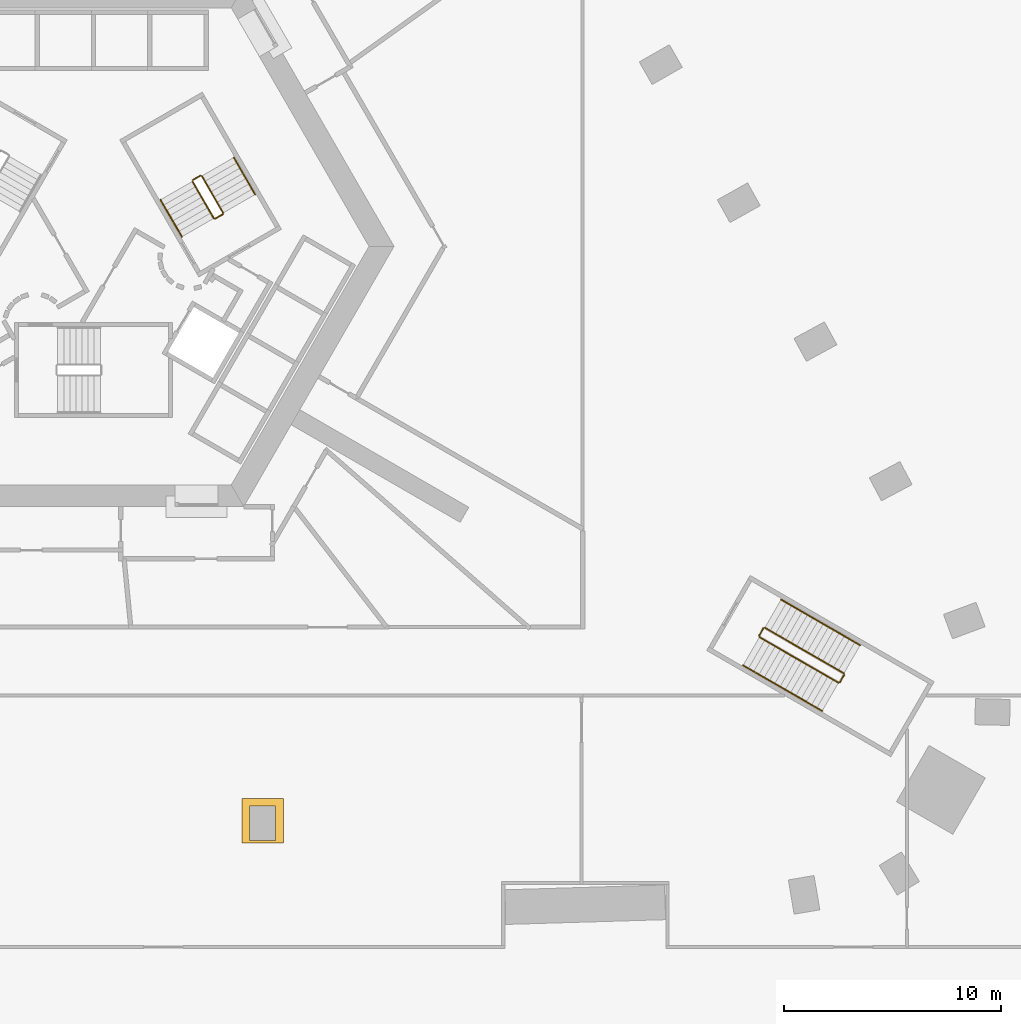
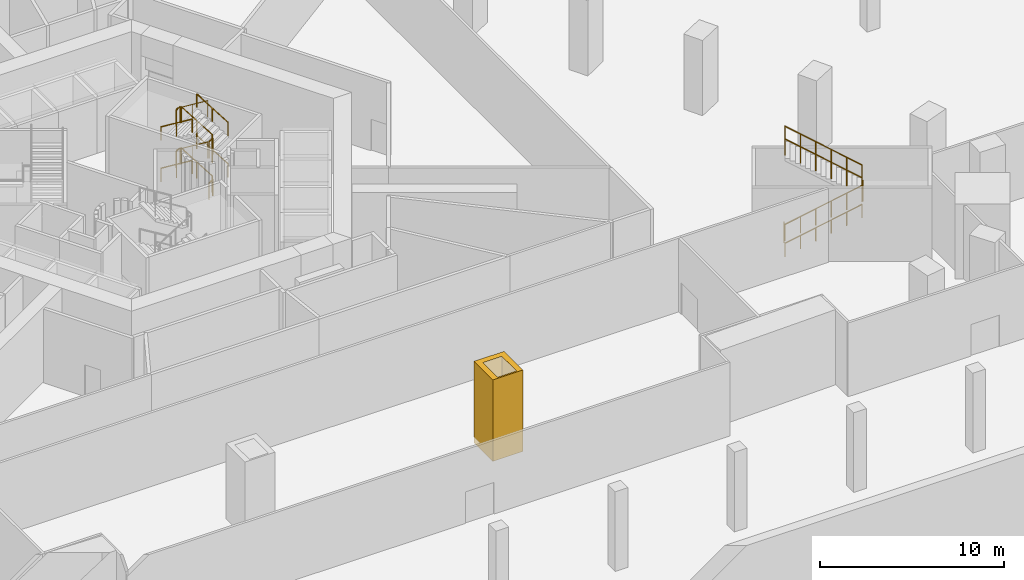
# One storey, part 18 of 20: 18 railings, 1 covering.
"""IFC4 building model written with IfcOpenShell, lengths in metres."""

from ifc_helpers import new_model, si_unit, direction, frame, origin, origin_2d, place, context, subcontext, project, spatial, polyline, circle, outline, extrude, material, type_object, element, save


model = new_model("IFC4")

# Units and contexts
model_context = context("Model", 3, precision=1e-05, world=origin(), true_north=direction((0.0, 1.0)))
body_context = subcontext(model_context, "Body", "Model", "MODEL_VIEW")
ifc_project = project(units=[si_unit("LENGTHUNIT", "METRE"), si_unit("AREAUNIT", "SQUARE_METRE"), si_unit("VOLUMEUNIT", "CUBIC_METRE"), si_unit("PLANEANGLEUNIT", "RADIAN"), si_unit("MASSUNIT", "GRAM", prefix="KILO")], contexts=[model_context])

# Site, building, storey
site_placement = place(None, origin())
site = spatial("IfcSite", under=ifc_project, at=site_placement, CompositionType="ELEMENT")
building_placement = place(site_placement, origin())
building = spatial("IfcBuilding", under=site, at=building_placement, Name="Entoto Arch Interchange Tower", CompositionType="ELEMENT")
storey_placement = place(building_placement, frame((0.0, 0.0, -5.5)))
storey = spatial("IfcBuildingStorey", under=building, at=storey_placement, Name="B1", CompositionType="ELEMENT", Elevation=-5.5)

# Covering
ifc_material_1 = material(Name="Board-marked precast concrete C50/60", Category="concrete")
covering_type = type_object("IfcCoveringType", Name="PRECAST FRAME COURSE", PredefinedType="CLADDING", material=ifc_material_1)
covering_placement = place(storey_placement, frame((0.0, 0.0, -0.419921875)))
element("IfcCovering", 1, at=covering_placement, inside=storey, type_object=covering_type, Name="Gate pier B1", PredefinedType="CLADDING", context=body_context, shape_type="SweptSolid", body=[
    extrude(outline(polyline([(6.85009765625, -22.949951171875), (8.75, -22.949951171875), (8.75, -24.9990234375), (6.85009765625, -24.9990234375), (6.85009765625, -22.949951171875)]), holes=[polyline([(7.199951171875, -23.300048828125), (7.199951171875, -24.89990234375), (8.39990234375, -24.89990234375), (8.39990234375, -23.300048828125), (7.199951171875, -23.300048828125)])]), origin(), (0.0, 0.0, 1.0), 5.419921875),
])

# Railings
ifc_material_2 = material(Name="Stainless steel 1.4301", Category="steel")
railing_type_1 = type_object("IfcRailingType", Name="STAIR GUARD 1100 STEEL", PredefinedType="GUARDRAIL", material=ifc_material_2)
railing_1_placement = place(storey_placement, frame((5.977783203125, 4.046142578125, 0.171875)))
element("IfcRailing", 2, at=railing_1_placement, inside=storey, type_object=railing_type_1, Name="B1 ST-NE stair guard 1", PredefinedType="GUARDRAIL", context=body_context, shape_type="SweptSolid", body=[
    extrude(circle(Radius=0.02392578125, at=origin_2d()), frame((0.0, 0.0, 1.076171875), z_axis=(-0.42613557846, 0.738040493636, 0.523167944856), x_axis=(-0.866011328839, -0.500024377727, 0.0)), (0.0, 0.0, 1.0), 2.2998046875),
    extrude(circle(Radius=0.02099609375, at=origin_2d()), origin(), (0.0, 0.0, 1.0), 1.052001953125),
    extrude(circle(Radius=0.02099609375, at=origin_2d()), frame((-0.489990234375, 0.8486328125, 0.6015625)), (0.0, 0.0, 1.0), 1.052001953125),
    extrude(circle(Radius=0.02099609375, at=origin_2d()), frame((-0.97998046875, 1.697265625, 1.203125)), (0.0, 0.0, 1.0), 1.052001953125),
])
railing_2_placement = place(storey_placement, frame((4.929443359375, 5.76171875, 1.375)))
element("IfcRailing", 3, at=railing_2_placement, inside=storey, type_object=railing_type_1, Name="B1 ST-NE stair guard 2", PredefinedType="GUARDRAIL", context=body_context, shape_type="SweptSolid", body=[
    extrude(circle(Radius=0.02392578125, at=origin_2d()), frame((0.0, 0.0, 1.076171875), z_axis=(-0.865941482684, -0.500145327446, 0.0), x_axis=(0.500145327446, -0.865941482684, 0.0)), (0.0, 0.0, 1.0), 0.39990234375),
    extrude(circle(Radius=0.02099609375, at=origin_2d()), origin(), (0.0, 0.0, 1.0), 1.052001953125),
    extrude(circle(Radius=0.02099609375, at=origin_2d()), frame((-0.34619140625, -0.199951171875, 0.0)), (0.0, 0.0, 1.0), 1.052001953125),
])
railing_3_placement = place(storey_placement, frame((4.56494140625, 5.493408203125, 1.546875)))
element("IfcRailing", 4, at=railing_3_placement, inside=storey, type_object=railing_type_1, Name="B1 ST-NE stair guard 3", PredefinedType="GUARDRAIL", context=body_context, shape_type="SweptSolid", body=[
    extrude(circle(Radius=0.02392578125, at=origin_2d()), frame((0.0, 0.0, 1.076171875), z_axis=(0.42613557846, -0.738040493636, 0.523167944856), x_axis=(0.866011328839, 0.500024377727, 0.0)), (0.0, 0.0, 1.0), 2.2998046875),
    extrude(circle(Radius=0.02099609375, at=origin_2d()), origin(), (0.0, 0.0, 1.0), 1.052001953125),
    extrude(circle(Radius=0.02099609375, at=origin_2d()), frame((0.489990234375, -0.8486328125, 0.6015625)), (0.0, 0.0, 1.0), 1.052001953125),
    extrude(circle(Radius=0.02099609375, at=origin_2d()), frame((0.97998046875, -1.697265625, 1.203125)), (0.0, 0.0, 1.0), 1.052001953125),
])
railing_4_placement = place(storey_placement, frame((5.95947265625, 3.977783203125, 2.75)))
element("IfcRailing", 5, at=railing_4_placement, inside=storey, type_object=railing_type_1, Name="B1 ST-NE stair guard 4", PredefinedType="GUARDRAIL", context=body_context, shape_type="SweptSolid", body=[
    extrude(circle(Radius=0.02392578125, at=origin_2d()), frame((0.0, 0.0, 1.076171875), z_axis=(-0.866094119867, -0.499880961361, 0.0), x_axis=(0.499880961361, -0.866094119867, 0.0)), (0.0, 0.0, 1.0), 0.39990234375),
    extrude(circle(Radius=0.02099609375, at=origin_2d()), origin(), (0.0, 0.0, 1.0), 1.052001953125),
    extrude(circle(Radius=0.02099609375, at=origin_2d()), frame((-0.346435546875, -0.199951171875, 0.0)), (0.0, 0.0, 1.0), 1.052001953125),
])
railing_5_placement = place(storey_placement, frame((5.977783203125, 4.046142578125, 2.921875)))
element("IfcRailing", 6, at=railing_5_placement, inside=storey, type_object=railing_type_1, Name="B1 ST-NE stair guard 5", PredefinedType="GUARDRAIL", context=body_context, shape_type="SweptSolid", body=[
    extrude(circle(Radius=0.02392578125, at=origin_2d()), frame((0.0, 0.0, 1.076171875), z_axis=(-0.42613557846, 0.738040493636, 0.523167944856), x_axis=(-0.866011328839, -0.500024377727, 0.0)), (0.0, 0.0, 1.0), 2.2998046875),
    extrude(circle(Radius=0.02099609375, at=origin_2d()), origin(), (0.0, 0.0, 1.0), 1.052001953125),
    extrude(circle(Radius=0.02099609375, at=origin_2d()), frame((-0.489990234375, 0.8486328125, 0.6015625)), (0.0, 0.0, 1.0), 1.052001953125),
    extrude(circle(Radius=0.02099609375, at=origin_2d()), frame((-0.97998046875, 1.697265625, 1.203125)), (0.0, 0.0, 1.0), 1.052001953125),
])
railing_6_placement = place(storey_placement, frame((4.929443359375, 5.76171875, 4.125)))
element("IfcRailing", 7, at=railing_6_placement, inside=storey, type_object=railing_type_1, Name="B1 ST-NE stair guard 6", PredefinedType="GUARDRAIL", context=body_context, shape_type="SweptSolid", body=[
    extrude(circle(Radius=0.02392578125, at=origin_2d()), frame((0.0, 0.0, 1.076171875), z_axis=(-0.865941482684, -0.500145327446, 0.0), x_axis=(0.500145327446, -0.865941482684, 0.0)), (0.0, 0.0, 1.0), 0.39990234375),
    extrude(circle(Radius=0.02099609375, at=origin_2d()), origin(), (0.0, 0.0, 1.0), 1.052001953125),
    extrude(circle(Radius=0.02099609375, at=origin_2d()), frame((-0.34619140625, -0.199951171875, 0.0)), (0.0, 0.0, 1.0), 1.052001953125),
])
railing_7_placement = place(storey_placement, frame((4.56494140625, 5.493408203125, 4.296875)))
element("IfcRailing", 8, at=railing_7_placement, inside=storey, type_object=railing_type_1, Name="B1 ST-NE stair guard 7", PredefinedType="GUARDRAIL", context=body_context, shape_type="SweptSolid", body=[
    extrude(circle(Radius=0.02392578125, at=origin_2d()), frame((0.0, 0.0, 1.076171875), z_axis=(0.42613557846, -0.738040493636, 0.523167944856), x_axis=(0.866011328839, 0.500024377727, 0.0)), (0.0, 0.0, 1.0), 2.2998046875),
    extrude(circle(Radius=0.02099609375, at=origin_2d()), origin(), (0.0, 0.0, 1.0), 1.052001953125),
    extrude(circle(Radius=0.02099609375, at=origin_2d()), frame((0.489990234375, -0.8486328125, 0.6015625)), (0.0, 0.0, 1.0), 1.052001953125),
    extrude(circle(Radius=0.02099609375, at=origin_2d()), frame((0.97998046875, -1.697265625, 1.203125)), (0.0, 0.0, 1.0), 1.052001953125),
])
railing_8_placement = place(storey_placement, frame((5.95947265625, 3.977783203125, 0.0)))
element("IfcRailing", 9, at=railing_8_placement, inside=storey, type_object=railing_type_1, Name="B1 ST-NE stair guard 8", PredefinedType="GUARDRAIL", context=body_context, shape_type="SweptSolid", body=[
    extrude(circle(Radius=0.02392578125, at=origin_2d()), frame((0.0, 0.0, 1.076171875), z_axis=(-0.866094119867, -0.499880961361, 0.0), x_axis=(0.499880961361, -0.866094119867, 0.0)), (0.0, 0.0, 1.0), 0.39990234375),
    extrude(circle(Radius=0.02099609375, at=origin_2d()), origin(), (0.0, 0.0, 1.0), 1.052001953125),
    extrude(circle(Radius=0.02099609375, at=origin_2d()), frame((-0.346435546875, -0.199951171875, 0.0)), (0.0, 0.0, 1.0), 1.052001953125),
])
railing_9_placement = place(storey_placement, frame((30.70556640625, -15.516357421875, 0.171875)))
element("IfcRailing", 10, at=railing_9_placement, inside=storey, type_object=railing_type_1, Name="B1 PST-SE stair guard 1", PredefinedType="GUARDRAIL", context=body_context, shape_type="SweptSolid", body=[
    extrude(circle(Radius=0.02392578125, at=origin_2d()), frame((0.0, 0.0, 1.076171875), z_axis=(0.738050923409, -0.42614539154, 0.523145237696), x_axis=(0.500027713859, 0.866009402589, 0.0)), (0.0, 0.0, 1.0), 4.92822265625),
    extrude(circle(Radius=0.02099609375, at=origin_2d()), origin(), (0.0, 0.0, 1.0), 1.052001953125),
    extrude(circle(Radius=0.02099609375, at=origin_2d()), frame((0.7275390625, -0.419921875, 0.515625)), (0.0, 0.0, 1.0), 1.052001953125),
    extrude(circle(Radius=0.02099609375, at=origin_2d()), frame((1.454833984375, -0.840087890625, 1.03125)), (0.0, 0.0, 1.0), 1.052001953125),
    extrude(circle(Radius=0.02099609375, at=origin_2d()), frame((2.182373046875, -1.260009765625, 1.546875)), (0.0, 0.0, 1.0), 1.052001953125),
    extrude(circle(Radius=0.02099609375, at=origin_2d()), frame((2.90966796875, -1.68017578125, 2.0625)), (0.0, 0.0, 1.0), 1.052001953125),
    extrude(circle(Radius=0.02099609375, at=origin_2d()), frame((3.63720703125, -2.10009765625, 2.578125)), (0.0, 0.0, 1.0), 1.052001953125),
])
railing_10_placement = place(storey_placement, frame((34.4111328125, -17.59814453125, 2.75)))
element("IfcRailing", 11, at=railing_10_placement, inside=storey, type_object=railing_type_1, Name="B1 PST-SE stair guard 2", PredefinedType="GUARDRAIL", context=body_context, shape_type="SweptSolid", body=[
    extrude(circle(Radius=0.02392578125, at=origin_2d()), frame((0.0, 0.0, 1.076171875), z_axis=(0.499880961361, 0.866094119867, 0.0), x_axis=(-0.866094119867, 0.499880961361, 0.0)), (0.0, 0.0, 1.0), 0.39990234375),
    extrude(circle(Radius=0.02099609375, at=origin_2d()), origin(), (0.0, 0.0, 1.0), 1.052001953125),
    extrude(circle(Radius=0.02099609375, at=origin_2d()), frame((0.199951171875, 0.346435546875, 0.0)), (0.0, 0.0, 1.0), 1.052001953125),
])
railing_11_placement = place(storey_placement, frame((34.5927734375, -17.183349609375, 2.921875)))
element("IfcRailing", 12, at=railing_11_placement, inside=storey, type_object=railing_type_1, Name="B1 PST-SE stair guard 3", PredefinedType="GUARDRAIL", context=body_context, shape_type="SweptSolid", body=[
    extrude(circle(Radius=0.02392578125, at=origin_2d()), frame((0.0, 0.0, 1.076171875), z_axis=(-0.738066504253, 0.426104846495, 0.52315628171), x_axis=(-0.49998411664, -0.866034573852, 0.0)), (0.0, 0.0, 1.0), 4.927978515625),
    extrude(circle(Radius=0.02099609375, at=origin_2d()), origin(), (0.0, 0.0, 1.0), 1.052001953125),
    extrude(circle(Radius=0.02099609375, at=origin_2d()), frame((-0.7275390625, 0.419921875, 0.515625)), (0.0, 0.0, 1.0), 1.052001953125),
    extrude(circle(Radius=0.02099609375, at=origin_2d()), frame((-1.454833984375, 0.83984375, 1.03125)), (0.0, 0.0, 1.0), 1.052001953125),
    extrude(circle(Radius=0.02099609375, at=origin_2d()), frame((-2.182373046875, 1.260009765625, 1.546875)), (0.0, 0.0, 1.0), 1.052001953125),
    extrude(circle(Radius=0.02099609375, at=origin_2d()), frame((-2.90966796875, 1.679931640625, 2.0625)), (0.0, 0.0, 1.0), 1.052001953125),
    extrude(circle(Radius=0.02099609375, at=origin_2d()), frame((-3.63720703125, 2.099853515625, 2.578125)), (0.0, 0.0, 1.0), 1.052001953125),
])
railing_12_placement = place(storey_placement, frame((30.687255859375, -15.4482421875, 0.0)))
element("IfcRailing", 13, at=railing_12_placement, inside=storey, type_object=railing_type_1, Name="B1 PST-SE stair guard 4", PredefinedType="GUARDRAIL", context=body_context, shape_type="SweptSolid", body=[
    extrude(circle(Radius=0.02392578125, at=origin_2d()), frame((0.0, 0.0, 1.076171875), z_axis=(0.499880961361, 0.866094119867, 0.0), x_axis=(-0.866094119867, 0.499880961361, 0.0)), (0.0, 0.0, 1.0), 0.39990234375),
    extrude(circle(Radius=0.02099609375, at=origin_2d()), origin(), (0.0, 0.0, 1.0), 1.052001953125),
    extrude(circle(Radius=0.02099609375, at=origin_2d()), frame((0.199951171875, 0.346435546875, 0.0)), (0.0, 0.0, 1.0), 1.052001953125),
])
railing_type_2 = type_object("IfcRailingType", Name="STAIR HANDRAIL 900 STEEL", PredefinedType="HANDRAIL", material=ifc_material_2)
railing_13_placement = place(storey_placement, frame((7.4501953125, 4.89599609375, 0.171875)))
element("IfcRailing", 14, at=railing_13_placement, inside=storey, type_object=railing_type_2, Name="B1 ST-NE stair handrail 1", PredefinedType="HANDRAIL", context=body_context, shape_type="SweptSolid", body=[
    extrude(circle(Radius=0.02392578125, at=origin_2d()), frame((0.0, 0.0, 0.8759765625), z_axis=(-0.426102191367, 0.738088823262, 0.52312695542), x_axis=(-0.866042469362, -0.499970440388, 0.0)), (0.0, 0.0, 1.0), 2.2998046875),
    extrude(circle(Radius=0.02099609375, at=origin_2d()), origin(), (0.0, 0.0, 1.0), 0.851806640625),
    extrude(circle(Radius=0.02099609375, at=origin_2d()), frame((-0.489990234375, 0.8486328125, 0.6015625)), (0.0, 0.0, 1.0), 0.851806640625),
    extrude(circle(Radius=0.02099609375, at=origin_2d()), frame((-0.97998046875, 1.697509765625, 1.203125)), (0.0, 0.0, 1.0), 0.851806640625),
])
railing_14_placement = place(storey_placement, frame((3.092529296875, 4.6435546875, 1.546875)))
element("IfcRailing", 15, at=railing_14_placement, inside=storey, type_object=railing_type_2, Name="B1 ST-NE stair handrail 2", PredefinedType="HANDRAIL", context=body_context, shape_type="SweptSolid", body=[
    extrude(circle(Radius=0.02392578125, at=origin_2d()), frame((0.0, 0.0, 0.8759765625), z_axis=(0.426102191367, -0.738088823262, 0.52312695542), x_axis=(0.866042469362, 0.499970440388, 0.0)), (0.0, 0.0, 1.0), 2.2998046875),
    extrude(circle(Radius=0.02099609375, at=origin_2d()), origin(), (0.0, 0.0, 1.0), 0.851806640625),
    extrude(circle(Radius=0.02099609375, at=origin_2d()), frame((0.489990234375, -0.8486328125, 0.6015625)), (0.0, 0.0, 1.0), 0.851806640625),
    extrude(circle(Radius=0.02099609375, at=origin_2d()), frame((0.97998046875, -1.697509765625, 1.203125)), (0.0, 0.0, 1.0), 0.851806640625),
])
railing_15_placement = place(storey_placement, frame((7.4501953125, 4.89599609375, 2.921875)))
element("IfcRailing", 16, at=railing_15_placement, inside=storey, type_object=railing_type_2, Name="B1 ST-NE stair handrail 3", PredefinedType="HANDRAIL", context=body_context, shape_type="SweptSolid", body=[
    extrude(circle(Radius=0.02392578125, at=origin_2d()), frame((0.0, 0.0, 0.8759765625), z_axis=(-0.426102191367, 0.738088823262, 0.52312695542), x_axis=(-0.866042469362, -0.499970440388, 0.0)), (0.0, 0.0, 1.0), 2.2998046875),
    extrude(circle(Radius=0.02099609375, at=origin_2d()), origin(), (0.0, 0.0, 1.0), 0.851806640625),
    extrude(circle(Radius=0.02099609375, at=origin_2d()), frame((-0.489990234375, 0.8486328125, 0.6015625)), (0.0, 0.0, 1.0), 0.851806640625),
    extrude(circle(Radius=0.02099609375, at=origin_2d()), frame((-0.97998046875, 1.697509765625, 1.203125)), (0.0, 0.0, 1.0), 0.851806640625),
])
railing_16_placement = place(storey_placement, frame((3.092529296875, 4.6435546875, 4.296875)))
element("IfcRailing", 17, at=railing_16_placement, inside=storey, type_object=railing_type_2, Name="B1 ST-NE stair handrail 4", PredefinedType="HANDRAIL", context=body_context, shape_type="SweptSolid", body=[
    extrude(circle(Radius=0.02392578125, at=origin_2d()), frame((0.0, 0.0, 0.8759765625), z_axis=(0.426102191367, -0.738088823262, 0.52312695542), x_axis=(0.866042469362, 0.499970440388, 0.0)), (0.0, 0.0, 1.0), 2.2998046875),
    extrude(circle(Radius=0.02099609375, at=origin_2d()), origin(), (0.0, 0.0, 1.0), 0.851806640625),
    extrude(circle(Radius=0.02099609375, at=origin_2d()), frame((0.489990234375, -0.8486328125, 0.6015625)), (0.0, 0.0, 1.0), 0.851806640625),
    extrude(circle(Radius=0.02099609375, at=origin_2d()), frame((0.97998046875, -1.697509765625, 1.203125)), (0.0, 0.0, 1.0), 0.851806640625),
])
railing_17_placement = place(storey_placement, frame((29.95556640625, -16.8154296875, 0.171875)))
element("IfcRailing", 18, at=railing_17_placement, inside=storey, type_object=railing_type_2, Name="B1 PST-SE stair handrail 1", PredefinedType="HANDRAIL", context=body_context, shape_type="SweptSolid", body=[
    extrude(circle(Radius=0.02392578125, at=origin_2d()), frame((0.0, 0.0, 0.8759765625), z_axis=(0.738050923409, -0.42614539154, 0.523145237696), x_axis=(0.500027713859, 0.866009402589, 0.0)), (0.0, 0.0, 1.0), 4.92822265625),
    extrude(circle(Radius=0.02099609375, at=origin_2d()), origin(), (0.0, 0.0, 1.0), 0.851806640625),
    extrude(circle(Radius=0.02099609375, at=origin_2d()), frame((0.7275390625, -0.419921875, 0.515625)), (0.0, 0.0, 1.0), 0.851806640625),
    extrude(circle(Radius=0.02099609375, at=origin_2d()), frame((1.454833984375, -0.840087890625, 1.03125)), (0.0, 0.0, 1.0), 0.851806640625),
    extrude(circle(Radius=0.02099609375, at=origin_2d()), frame((2.182373046875, -1.260009765625, 1.546875)), (0.0, 0.0, 1.0), 0.851806640625),
    extrude(circle(Radius=0.02099609375, at=origin_2d()), frame((2.90966796875, -1.68017578125, 2.0625)), (0.0, 0.0, 1.0), 0.851806640625),
    extrude(circle(Radius=0.02099609375, at=origin_2d()), frame((3.63720703125, -2.10009765625, 2.578125)), (0.0, 0.0, 1.0), 0.851806640625),
])
railing_18_placement = place(storey_placement, frame((35.3427734375, -15.884521484375, 2.921875)))
element("IfcRailing", 19, at=railing_18_placement, inside=storey, type_object=railing_type_2, Name="B1 PST-SE stair handrail 2", PredefinedType="HANDRAIL", context=body_context, shape_type="SweptSolid", body=[
    extrude(circle(Radius=0.02392578125, at=origin_2d()), frame((0.0, 0.0, 0.8759765625), z_axis=(-0.738050923409, 0.42614539154, 0.523145237696), x_axis=(-0.500027713859, -0.866009402589, 0.0)), (0.0, 0.0, 1.0), 4.92822265625),
    extrude(circle(Radius=0.02099609375, at=origin_2d()), origin(), (0.0, 0.0, 1.0), 0.851806640625),
    extrude(circle(Radius=0.02099609375, at=origin_2d()), frame((-0.7275390625, 0.419921875, 0.515625)), (0.0, 0.0, 1.0), 0.851806640625),
    extrude(circle(Radius=0.02099609375, at=origin_2d()), frame((-1.454833984375, 0.840087890625, 1.03125)), (0.0, 0.0, 1.0), 0.851806640625),
    extrude(circle(Radius=0.02099609375, at=origin_2d()), frame((-2.182373046875, 1.260009765625, 1.546875)), (0.0, 0.0, 1.0), 0.851806640625),
    extrude(circle(Radius=0.02099609375, at=origin_2d()), frame((-2.90966796875, 1.68017578125, 2.0625)), (0.0, 0.0, 1.0), 0.851806640625),
    extrude(circle(Radius=0.02099609375, at=origin_2d()), frame((-3.63720703125, 2.10009765625, 2.578125)), (0.0, 0.0, 1.0), 0.851806640625),
])

save(model, "model.ifc")
